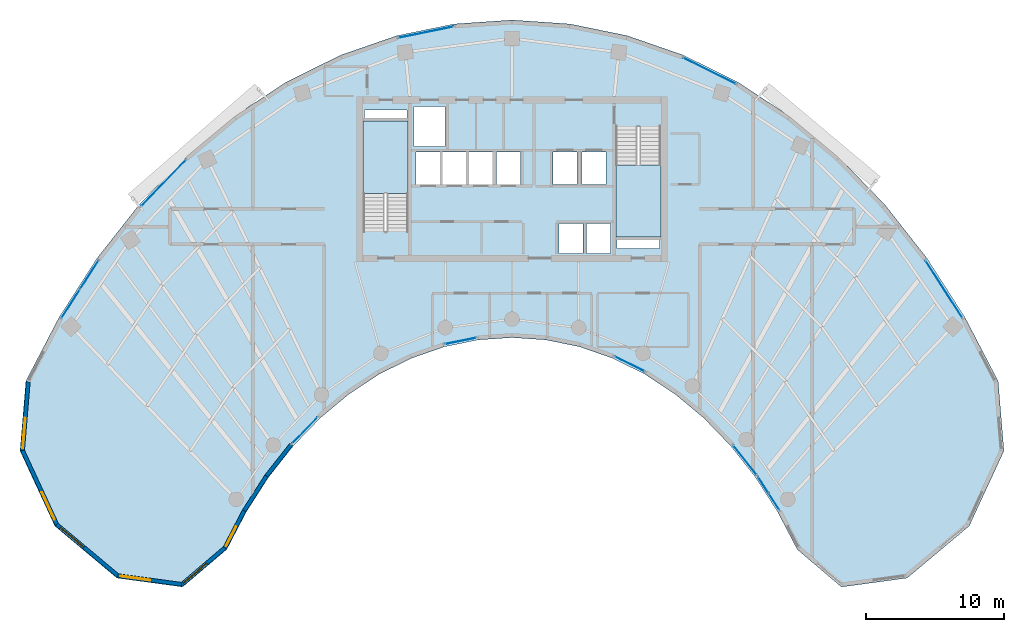
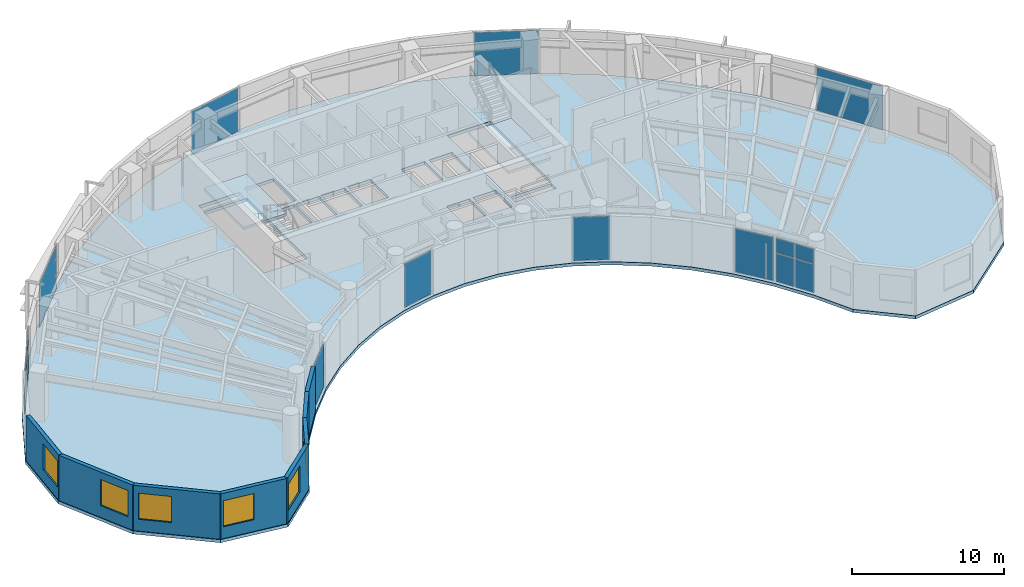
# One storey, part 7 of 14: 16 plates, 8 walls, 6 windows, 3 slabs, 6 openings, 12 elements without a shape of their own.
"""IFC4 building model written with IfcOpenShell, lengths in metres."""

from ifc_helpers import new_model, si_unit, direction, frame, frame_2d, origin, origin_2d, place, context, subcontext, project, spatial, polyline, rectangle, outline, extrude, source, transform, mapped, material, layer, layer_set, type_object, type_shapes, element, fill, aggregate, save


model = new_model("IFC4")

# Units and contexts
model_context = context("Model", 3, precision=1e-05, world=origin(), true_north=direction((0.0, 1.0)))
body_context = subcontext(model_context, "Body", "Model", "MODEL_VIEW")
ifc_project = project(units=[si_unit("LENGTHUNIT", "METRE"), si_unit("AREAUNIT", "SQUARE_METRE"), si_unit("VOLUMEUNIT", "CUBIC_METRE"), si_unit("PLANEANGLEUNIT", "RADIAN"), si_unit("MASSUNIT", "GRAM", prefix="KILO")], contexts=[model_context])

# Site, building, storey
site_placement = place(None, origin())
site = spatial("IfcSite", under=ifc_project, at=site_placement, CompositionType="ELEMENT")
building_placement = place(site_placement, origin())
building = spatial("IfcBuilding", under=site, at=building_placement, Name="Breltana Convention Tower", CompositionType="ELEMENT")
storey_placement = place(building_placement, frame((0.0, 0.0, 177.89990234375)))
storey = spatial("IfcBuildingStorey", under=building, at=storey_placement, Name="L43", CompositionType="ELEMENT", Elevation=177.89990234375)

# Slab
ifc_material_1 = material(Name="Concrete C40/50", Category="concrete")
ifc_layer_1 = layer(ifc_material_1, 0.25, Name="Concrete C40/50")
ifc_layer_set_1 = layer_set([ifc_layer_1], Name="Concrete C40/50")
slab_type_1 = type_object("IfcSlabType", Name="SL-OFF-250", PredefinedType="FLOOR", material=ifc_layer_set_1)
slab_1_placement = place(storey_placement, frame((0.0, 0.0, -0.25)))
element("IfcSlab", 1, at=slab_1_placement, inside=storey, type_object=slab_type_1, Name="L43 Suspended Structural Floor Slab", PredefinedType="FLOOR", context=body_context, shape_type="SweptSolid", body=[
    extrude(outline(polyline([(83.27880859375, 51.539794921875), (80.870361328125, 56.166015625), (78.12548828125, 60.442138671875), (75.072265625, 64.32470703125), (71.74169921875, 67.774169921875), (68.168212890625, 70.7548828125), (64.387939453125, 73.236328125), (60.440185546875, 75.193115234375), (56.36474609375, 76.60546875), (52.203857421875, 77.45849609375), (48.0, 77.743896484375), (43.796142578125, 77.45849609375), (39.63525390625, 76.60546875), (35.559814453125, 75.193115234375), (31.612060546875, 73.236328125), (27.831787109375, 70.7548828125), (24.25830078125, 67.774169921875), (20.927734375, 64.32470703125), (17.87451171875, 60.442138671875), (15.129638671875, 56.166015625), (12.72119140625, 51.539794921875), (12.298095703125, 46.4794921875), (14.822509765625, 41.019287109375), (19.329833984375, 37.2451171875), (24.098876953125, 36.598388671875), (27.3076171875, 39.326171875), (28.72021484375, 42.03955078125), (30.330078125, 44.5478515625), (32.12109375, 46.8251953125), (34.07470703125, 48.848388671875), (36.170654296875, 50.5966796875), (38.3876953125, 52.052001953125), (40.703369140625, 53.19970703125), (43.09375, 54.0283203125), (45.5341796875, 54.528564453125), (48.0, 54.696044921875), (50.4658203125, 54.528564453125), (52.90625, 54.0283203125), (55.296630859375, 53.19970703125), (57.6123046875, 52.052001953125), (59.829345703125, 50.5966796875), (61.92529296875, 48.848388671875), (63.87890625, 46.8251953125), (65.669921875, 44.5478515625), (67.27978515625, 42.03955078125), (68.6923828125, 39.326171875), (71.901123046875, 36.598388671875), (76.670166015625, 37.2451171875), (81.177490234375, 41.019287109375), (83.701904296875, 46.4794921875), (83.27880859375, 51.539794921875)]), holes=[polyline([(37.199951171875, 62.385009765625), (40.469970703125, 62.385009765625), (40.469970703125, 70.39990234375), (37.199951171875, 70.39990234375), (37.199951171875, 62.385009765625)]), polyline([(55.530029296875, 62.0), (58.800048828125, 62.0), (58.800048828125, 70.014892578125), (55.530029296875, 70.014892578125), (55.530029296875, 62.0)]), polyline([(51.39990234375, 60.800048828125), (53.159912109375, 60.800048828125), (53.159912109375, 62.97998046875), (51.39990234375, 62.97998046875), (51.39990234375, 60.800048828125)]), polyline([(53.39990234375, 60.800048828125), (55.159912109375, 60.800048828125), (55.159912109375, 62.97998046875), (53.39990234375, 62.97998046875), (53.39990234375, 60.800048828125)]), polyline([(41.0400390625, 65.820068359375), (42.800048828125, 65.820068359375), (42.800048828125, 68.179931640625), (41.0400390625, 68.179931640625), (41.0400390625, 65.820068359375)]), polyline([(42.93994140625, 65.820068359375), (44.699951171875, 65.820068359375), (44.699951171875, 68.179931640625), (42.93994140625, 68.179931640625), (42.93994140625, 65.820068359375)]), polyline([(44.8701171875, 65.820068359375), (46.6298828125, 65.820068359375), (46.6298828125, 68.179931640625), (44.8701171875, 68.179931640625), (44.8701171875, 65.820068359375)]), polyline([(46.8701171875, 65.820068359375), (48.6298828125, 65.820068359375), (48.6298828125, 68.179931640625), (46.8701171875, 68.179931640625), (46.8701171875, 65.820068359375)]), polyline([(50.969970703125, 65.800048828125), (52.72998046875, 65.800048828125), (52.72998046875, 68.179931640625), (50.969970703125, 68.179931640625), (50.969970703125, 65.800048828125)]), polyline([(53.070068359375, 65.800048828125), (54.830078125, 65.800048828125), (54.830078125, 68.179931640625), (53.070068359375, 68.179931640625), (53.070068359375, 65.800048828125)]), polyline([(40.8798828125, 68.550048828125), (43.1201171875, 68.550048828125), (43.1201171875, 71.449951171875), (40.8798828125, 71.449951171875), (40.8798828125, 68.550048828125)]), polyline([(37.300048828125, 70.60009765625), (40.3798828125, 70.60009765625), (40.3798828125, 71.219970703125), (37.300048828125, 71.219970703125), (37.300048828125, 70.60009765625)]), polyline([(55.6201171875, 61.179931640625), (58.699951171875, 61.179931640625), (58.699951171875, 61.800048828125), (55.6201171875, 61.800048828125), (55.6201171875, 61.179931640625)])]), origin(), (0.0, 0.0, 1.0), 0.25),
])

# Stair, slab
stair_type = type_object("IfcStairType", Name="ST-DOG-1560-R177", PredefinedType="HALF_TURN_STAIR", material=ifc_material_1)
stair_1_placement = place(storey_placement, origin())
stair_1 = element("IfcStair", 2, at=stair_1_placement, inside=storey, type_object=stair_type, Name="L43 Protected Core Exit Stair ST-1", PredefinedType="HALF_TURN_STAIR")
ifc_layer_2 = layer(ifc_material_1, 0.199951171875, Name="Concrete C40/50")
ifc_layer_set_2 = layer_set([ifc_layer_2], Name="Concrete C40/50")
slab_type_2 = type_object("IfcSlabType", Name="SL-STAIR-LANDING-200", PredefinedType="LANDING", material=ifc_layer_set_2)
slab_2_placement = place(storey_placement, frame((0.0, 0.0, 1.75)))
slab_2 = element("IfcSlab", 3, at=slab_2_placement, type_object=slab_type_2, Name="ST-1 landing 1", PredefinedType="LANDING", context=body_context, shape_type="SweptSolid", body=[
    extrude(outline(polyline([(40.469970703125, 65.159912109375), (40.469970703125, 70.39990234375), (37.199951171875, 70.39990234375), (37.199951171875, 65.159912109375), (40.469970703125, 65.159912109375)])), origin(), (0.0, 0.0, 1.0), 0.2001953125),
])
aggregate(stair_1, [slab_2])

stair_2_placement = place(storey_placement, origin())
stair_2 = element("IfcStair", 4, at=stair_2_placement, inside=storey, type_object=stair_type, Name="L43 Protected Core Exit Stair ST-2", PredefinedType="HALF_TURN_STAIR")
slab_3_placement = place(storey_placement, frame((0.0, 0.0, 1.75)))
slab_3 = element("IfcSlab", 5, at=slab_3_placement, type_object=slab_type_2, Name="ST-2 landing 1", PredefinedType="LANDING", context=body_context, shape_type="SweptSolid", body=[
    extrude(outline(polyline([(55.530029296875, 67.239990234375), (55.530029296875, 62.0), (58.800048828125, 62.0), (58.800048828125, 67.239990234375), (55.530029296875, 67.239990234375)])), origin(), (0.0, 0.0, 1.0), 0.2001953125),
])
aggregate(stair_2, [slab_3])

# Curtain wall, plates
ifc_material_2 = material(Name="Aluminium Anodised Bronze Frame", Category="aluminium")
ifc_layer_3 = layer(ifc_material_2, 0.18994140625, Name="Aluminium Anodised Bronze Frame")
ifc_layer_set_3 = layer_set([ifc_layer_3], Name="Aluminium Anodised Bronze Frame")
curtain_wall_type_1 = type_object("IfcCurtainWallType", Name="CW-SYS-1", PredefinedType="NOTDEFINED", material=ifc_layer_set_3)
curtain_wall_1_placement = place(storey_placement, origin())
curtain_wall_1 = element("IfcCurtainWall", 6, at=curtain_wall_1_placement, inside=storey, type_object=curtain_wall_type_1, Name="L43 inner south-court glazing 1", PredefinedType="NOTDEFINED")
ifc_material_3 = material(Name="Glass Low-E Double Glazing", Category="glass")
ifc_layer_4 = layer(ifc_material_3, 0.028076171875, Name="Glass Low-E Double Glazing")
ifc_layer_set_4 = layer_set([ifc_layer_4], Name="Glass Low-E Double Glazing")
plate_type = type_object("IfcPlateType", Name="CWP-IGU-28", PredefinedType="CURTAIN_PANEL", material=ifc_layer_set_4)
shared_shape_1 = source(origin(), body_context, "Body", "SweptSolid", [
    extrude(rectangle(XDim=1.3701171875, YDim=0.028076171875, at=origin_2d()), origin(), (0.0, 0.0, 1.0), 2.25244140625),
])
plate_1_placement = place(storey_placement, frame((67.01806640625, 42.78076171875, 0.080078125), z_axis=(0.0, 0.0, 1.0), x_axis=(-0.540184298954, 0.841546744491, 0.0)))
plate_1 = element("IfcPlate", 7, at=plate_1_placement, type_object=plate_type, Name="CW-01 panel 1.1", PredefinedType="CURTAIN_PANEL", context=body_context, shape_type="MappedRepresentation", body=[
    mapped(shared_shape_1, transform((0.0, 0.0, 0.0), scale=1.0)),
])
plate_2_placement = place(storey_placement, frame((66.234619140625, 44.001220703125, 0.080078125), z_axis=(0.0, 0.0, 1.0), x_axis=(-0.540184298954, 0.841546744491, 0.0)))
plate_2 = element("IfcPlate", 8, at=plate_2_placement, type_object=plate_type, Name="CW-01 panel 2.1", PredefinedType="CURTAIN_PANEL", context=body_context, shape_type="MappedRepresentation", body=[
    mapped(shared_shape_1, transform((0.0, 0.0, 0.0), scale=1.0)),
])
shared_shape_2 = source(origin(), body_context, "Body", "SweptSolid", [
    extrude(rectangle(XDim=1.3701171875, YDim=0.028076171875, at=origin_2d()), origin(), (0.0, 0.0, 1.0), 1.157470703125),
])
plate_3_placement = place(storey_placement, frame((67.01806640625, 42.78076171875, 2.41259765625), z_axis=(0.0, 0.0, 1.0), x_axis=(-0.540184298954, 0.841546744491, 0.0)))
plate_3 = element("IfcPlate", 9, at=plate_3_placement, type_object=plate_type, Name="CW-01 panel 1.2", PredefinedType="CURTAIN_PANEL", context=body_context, shape_type="MappedRepresentation", body=[
    mapped(shared_shape_2, transform((0.0, 0.0, 0.0), scale=1.0)),
])
plate_4_placement = place(storey_placement, frame((66.234619140625, 44.001220703125, 2.41259765625), z_axis=(0.0, 0.0, 1.0), x_axis=(-0.540184298954, 0.841546744491, 0.0)))
plate_4 = element("IfcPlate", 10, at=plate_4_placement, type_object=plate_type, Name="CW-01 panel 2.2", PredefinedType="CURTAIN_PANEL", context=body_context, shape_type="MappedRepresentation", body=[
    mapped(shared_shape_2, transform((0.0, 0.0, 0.0), scale=1.0)),
])
aggregate(curtain_wall_1, [plate_1, plate_3, plate_2, plate_4])

# Curtain wall, plate
curtain_wall_2_placement = place(storey_placement, origin())
curtain_wall_2 = element("IfcCurtainWall", 11, at=curtain_wall_2_placement, inside=storey, type_object=curtain_wall_type_1, Name="L43 inner south-court glazing 2", PredefinedType="NOTDEFINED")
shared_shape_3 = source(origin(), body_context, "Body", "SweptSolid", [
    extrude(rectangle(XDim=2.737060546875, YDim=0.028076171875, at=origin_2d()), origin(), (0.0, 0.0, 1.0), 3.489990234375),
])
plate_5_placement = place(storey_placement, frame((64.915771484375, 45.7978515625, 0.080078125), z_axis=(0.0, 0.0, 1.0), x_axis=(-0.618161435717, 0.786051168431, 0.0)))
plate_5 = element("IfcPlate", 12, at=plate_5_placement, type_object=plate_type, Name="CW-01 panel 1.1", PredefinedType="CURTAIN_PANEL", context=body_context, shape_type="MappedRepresentation", body=[
    mapped(shared_shape_3, transform((0.0, 0.0, 0.0), scale=1.0)),
])
aggregate(curtain_wall_2, [plate_5])

# Curtain wall, plates
ifc_layer_5 = layer(ifc_material_2, 0.2099609375, Name="Aluminium Anodised Bronze Frame")
ifc_layer_set_5 = layer_set([ifc_layer_5], Name="Aluminium Anodised Bronze Frame")
curtain_wall_type_2 = type_object("IfcCurtainWallType", Name="CW-SYS-3", PredefinedType="NOTDEFINED", material=ifc_layer_set_5)
curtain_wall_3_placement = place(storey_placement, origin())
curtain_wall_3 = element("IfcCurtainWall", 13, at=curtain_wall_3_placement, inside=storey, type_object=curtain_wall_type_2, Name="L43 outer double-skin inner glazing 1", PredefinedType="NOTDEFINED")
shared_shape_4 = source(origin(), body_context, "Body", "SweptSolid", [
    extrude(rectangle(XDim=2.42724609375, YDim=0.028076171875, at=origin_2d()), origin(), (0.0, 0.0, 1.0), 2.25244140625),
])
plate_6_placement = place(storey_placement, frame((15.97900390625, 57.15576171875, 0.080078125), z_axis=(0.0, 0.0, 1.0), x_axis=(0.54017267843, 0.841554203529, 0.0)))
plate_6 = element("IfcPlate", 14, at=plate_6_placement, type_object=plate_type, Name="CW-03 panel 1.1", PredefinedType="CURTAIN_PANEL", context=body_context, shape_type="MappedRepresentation", body=[
    mapped(shared_shape_4, transform((0.0, 0.0, 0.0), scale=1.0)),
])
plate_7_placement = place(storey_placement, frame((17.327880859375, 59.25732421875, 0.080078125), z_axis=(0.0, 0.0, 1.0), x_axis=(0.54017267843, 0.841554203529, 0.0)))
plate_7 = element("IfcPlate", 15, at=plate_7_placement, type_object=plate_type, Name="CW-03 panel 2.1", PredefinedType="CURTAIN_PANEL", context=body_context, shape_type="MappedRepresentation", body=[
    mapped(shared_shape_4, transform((0.0, 0.0, 0.0), scale=1.0)),
])
shared_shape_5 = source(origin(), body_context, "Body", "SweptSolid", [
    extrude(rectangle(XDim=2.42724609375, YDim=0.028076171875, at=origin_2d()), origin(), (0.0, 0.0, 1.0), 1.157470703125),
])
plate_8_placement = place(storey_placement, frame((15.97900390625, 57.15576171875, 2.41259765625), z_axis=(0.0, 0.0, 1.0), x_axis=(0.54017267843, 0.841554203529, 0.0)))
plate_8 = element("IfcPlate", 16, at=plate_8_placement, type_object=plate_type, Name="CW-03 panel 1.2", PredefinedType="CURTAIN_PANEL", context=body_context, shape_type="MappedRepresentation", body=[
    mapped(shared_shape_5, transform((0.0, 0.0, 0.0), scale=1.0)),
])
plate_9_placement = place(storey_placement, frame((17.327880859375, 59.25732421875, 2.41259765625), z_axis=(0.0, 0.0, 1.0), x_axis=(0.54017267843, 0.841554203529, 0.0)))
plate_9 = element("IfcPlate", 17, at=plate_9_placement, type_object=plate_type, Name="CW-03 panel 2.2", PredefinedType="CURTAIN_PANEL", context=body_context, shape_type="MappedRepresentation", body=[
    mapped(shared_shape_5, transform((0.0, 0.0, 0.0), scale=1.0)),
])
aggregate(curtain_wall_3, [plate_6, plate_8, plate_7, plate_9])

# Curtain wall, plate
curtain_wall_4_placement = place(storey_placement, origin())
curtain_wall_4 = element("IfcCurtainWall", 18, at=curtain_wall_4_placement, inside=storey, type_object=curtain_wall_type_2, Name="L43 outer double-skin inner glazing 4", PredefinedType="NOTDEFINED")
shared_shape_6 = source(origin(), body_context, "Body", "SweptSolid", [
    extrude(rectangle(XDim=4.243896484375, YDim=0.028076171875, at=origin_2d()), origin(), (0.0, 0.0, 1.0), 3.489990234375),
])
plate_10_placement = place(storey_placement, frame((62.334228515625, 74.053466796875, 0.080078125), z_axis=(0.0, 0.0, 1.0), x_axis=(0.895968385619, -0.444117835682, 0.0)))
plate_10 = element("IfcPlate", 19, at=plate_10_placement, type_object=plate_type, Name="CW-03 panel 1.1", PredefinedType="CURTAIN_PANEL", context=body_context, shape_type="MappedRepresentation", body=[
    mapped(shared_shape_6, transform((0.0, 0.0, 0.0), scale=1.0)),
])
aggregate(curtain_wall_4, [plate_10])

curtain_wall_5_placement = place(storey_placement, origin())
curtain_wall_5 = element("IfcCurtainWall", 20, at=curtain_wall_5_placement, inside=storey, type_object=curtain_wall_type_2, Name="L43 outer double-skin inner glazing 3", PredefinedType="NOTDEFINED")
shared_shape_7 = source(origin(), body_context, "Body", "SweptSolid", [
    extrude(rectangle(XDim=4.08349609375, YDim=0.028076171875, at=origin_2d()), origin(), (0.0, 0.0, 1.0), 3.489990234375),
])
plate_11_placement = place(storey_placement, frame((41.751708984375, 76.855712890625, 0.080078125), z_axis=(0.0, 0.0, 1.0), x_axis=(0.979616560993, 0.200876562668, 0.0)))
plate_11 = element("IfcPlate", 21, at=plate_11_placement, type_object=plate_type, Name="CW-03 panel 1.1", PredefinedType="CURTAIN_PANEL", context=body_context, shape_type="MappedRepresentation", body=[
    mapped(shared_shape_7, transform((0.0, 0.0, 0.0), scale=1.0)),
])
aggregate(curtain_wall_5, [plate_11])

curtain_wall_6_placement = place(storey_placement, origin())
curtain_wall_6 = element("IfcCurtainWall", 22, at=curtain_wall_6_placement, inside=storey, type_object=curtain_wall_type_2, Name="L43 outer double-skin inner glazing 2", PredefinedType="NOTDEFINED")
shared_shape_8 = source(origin(), body_context, "Body", "SweptSolid", [
    extrude(rectangle(XDim=4.635986328125, YDim=0.028076171875, at=origin_2d()), origin(), (0.0, 0.0, 1.0), 3.489990234375),
])
plate_12_placement = place(storey_placement, frame((22.722412109375, 65.92431640625, 0.080078125), z_axis=(0.0, 0.0, 1.0), x_axis=(0.694602734297, 0.719393523398, 0.0)))
plate_12 = element("IfcPlate", 23, at=plate_12_placement, type_object=plate_type, Name="CW-03 panel 1.1", PredefinedType="CURTAIN_PANEL", context=body_context, shape_type="MappedRepresentation", body=[
    mapped(shared_shape_8, transform((0.0, 0.0, 0.0), scale=1.0)),
])
aggregate(curtain_wall_6, [plate_12])

curtain_wall_7_placement = place(storey_placement, origin())
curtain_wall_7 = element("IfcCurtainWall", 24, at=curtain_wall_7_placement, inside=storey, type_object=curtain_wall_type_1, Name="L43 inner south-court glazing 3", PredefinedType="NOTDEFINED")
shared_shape_9 = source(origin(), body_context, "Body", "SweptSolid", [
    extrude(rectangle(XDim=2.424560546875, YDim=0.028076171875, at=origin_2d()), origin(), (0.0, 0.0, 1.0), 3.489990234375),
])
plate_13_placement = place(storey_placement, frame((56.5341796875, 52.787109375, 0.080078125), z_axis=(0.0, 0.0, 1.0), x_axis=(-0.895969545082, 0.444115496562, 0.0)))
plate_13 = element("IfcPlate", 25, at=plate_13_placement, type_object=plate_type, Name="CW-01 panel 1.1", PredefinedType="CURTAIN_PANEL", context=body_context, shape_type="MappedRepresentation", body=[
    mapped(shared_shape_9, transform((0.0, 0.0, 0.0), scale=1.0)),
])
aggregate(curtain_wall_7, [plate_13])

curtain_wall_8_placement = place(storey_placement, origin())
curtain_wall_8 = element("IfcCurtainWall", 26, at=curtain_wall_8_placement, inside=storey, type_object=curtain_wall_type_1, Name="L43 inner south-court glazing 4", PredefinedType="NOTDEFINED")
shared_shape_10 = source(origin(), body_context, "Body", "SweptSolid", [
    extrude(rectangle(XDim=2.331298828125, YDim=0.028076171875, at=origin_2d()), origin(), (0.0, 0.0, 1.0), 3.489990234375),
])
plate_14_placement = place(storey_placement, frame((44.27783203125, 54.45458984375, 0.080078125), z_axis=(0.0, 0.0, 1.0), x_axis=(-0.979619715529, -0.200861178299, 0.0)))
plate_14 = element("IfcPlate", 27, at=plate_14_placement, type_object=plate_type, Name="CW-01 panel 1.1", PredefinedType="CURTAIN_PANEL", context=body_context, shape_type="MappedRepresentation", body=[
    mapped(shared_shape_10, transform((0.0, 0.0, 0.0), scale=1.0)),
])
aggregate(curtain_wall_8, [plate_14])

curtain_wall_9_placement = place(storey_placement, origin())
curtain_wall_9 = element("IfcCurtainWall", 28, at=curtain_wall_9_placement, inside=storey, type_object=curtain_wall_type_1, Name="L43 inner south-court glazing 5", PredefinedType="NOTDEFINED")
shared_shape_11 = source(origin(), body_context, "Body", "SweptSolid", [
    extrude(rectangle(XDim=2.65234375, YDim=0.028076171875, at=origin_2d()), origin(), (0.0, 0.0, 1.0), 3.489990234375),
])
plate_15_placement = place(storey_placement, frame((32.96826171875, 47.961669921875, 0.080078125), z_axis=(0.0, 0.0, 1.0), x_axis=(-0.694606570168, -0.719389819694, 0.0)))
plate_15 = element("IfcPlate", 29, at=plate_15_placement, type_object=plate_type, Name="CW-01 panel 1.1", PredefinedType="CURTAIN_PANEL", context=body_context, shape_type="MappedRepresentation", body=[
    mapped(shared_shape_11, transform((0.0, 0.0, 0.0), scale=1.0)),
])
aggregate(curtain_wall_9, [plate_15])

curtain_wall_10_placement = place(storey_placement, origin())
curtain_wall_10 = element("IfcCurtainWall", 30, at=curtain_wall_10_placement, inside=storey, type_object=curtain_wall_type_2, Name="L43 outer double-skin inner glazing 5", PredefinedType="NOTDEFINED")
shared_shape_12 = source(origin(), body_context, "Body", "SweptSolid", [
    extrude(rectangle(XDim=4.924560546875, YDim=0.028076171875, at=origin_2d()), origin(), (0.0, 0.0, 1.0), 3.489990234375),
])
plate_16_placement = place(storey_placement, frame((79.3466796875, 58.20654296875, 0.080078125), z_axis=(0.0, 0.0, 1.0), x_axis=(0.54017267843, -0.841554203529, 0.0)))
plate_16 = element("IfcPlate", 31, at=plate_16_placement, type_object=plate_type, Name="CW-03 panel 1.1", PredefinedType="CURTAIN_PANEL", context=body_context, shape_type="MappedRepresentation", body=[
    mapped(shared_shape_12, transform((0.0, 0.0, 0.0), scale=1.0)),
])
aggregate(curtain_wall_10, [plate_16])

# Wall, opening, window
ifc_material_4 = material(Name="Limestone Buff Insulated Wall", Category="masonry")
ifc_layer_6 = layer(ifc_material_4, 0.280029296875, Name="Limestone Buff Insulated Wall")
ifc_layer_set_6 = layer_set([ifc_layer_6], Name="Limestone Buff Insulated Wall")
wall_type = type_object("IfcWallType", Name="WL-EXT-NOSE-280", PredefinedType="SOLIDWALL", material=ifc_layer_set_6)
shared_shape_13 = source(origin(), body_context, "Body", "SweptSolid", [
    extrude(rectangle(XDim=4.994384765625, YDim=0.280029296875, at=frame_2d((2.4970703125, 0.0))), origin(), (0.0, 0.0, 1.0), 3.650146484375),
])
wall_1_placement = place(storey_placement, frame((12.4814453125, 46.51171875, 0.0), z_axis=(0.0, 0.0, 1.0), x_axis=(0.083344839916, 0.996520766296, 0.0)))
wall_1 = element("IfcWall", 32, at=wall_1_placement, inside=storey, type_object=wall_type, Name="L43 curved limestone nose wall W6", PredefinedType="SOLIDWALL", context=body_context, shape_type="MappedRepresentation", body=[
    mapped(shared_shape_13, transform((0.0, 0.0, 0.0), scale=1.0)),
])
opening_1_placement = place(wall_1_placement, frame((0.159912109375, 0.0, 0.949951171875)))
opening_1 = element("IfcOpeningElement", 33, at=opening_1_placement, cuts=wall_1, Name="Opening W-03", PredefinedType="OPENING", context=body_context, shape_type="SweptSolid", body=[
    extrude(rectangle(XDim=2.199951171875, YDim=2.10009765625, at=frame_2d((1.10009765625, 1.050048828125))), frame((0.0, 0.14990234375, 0.0), z_axis=(0.0, -1.0, 0.0), x_axis=(1.0, 0.0, 0.0)), (0.0, 0.0, 1.0), 0.300048828125),
])
ifc_material_5 = material(Name="Glass Low-E Insulated Window", Category="glass")
window_type_1 = type_object("IfcWindowType", Name="WN-NOSE-2200X2100", PartitioningType="TRIPLE_PANEL_VERTICAL", PredefinedType="WINDOW", material=ifc_material_5)
shared_shape_14 = source(origin(), body_context, "Body", "SweptSolid", [
    extrude(rectangle(XDim=2.199951171875, YDim=2.10009765625, at=frame_2d((1.10009765625, 1.050048828125))), frame((0.0, 0.030029296875, 0.0), z_axis=(0.0, -1.0, 0.0), x_axis=(1.0, 0.0, 0.0)), (0.0, 0.0, 1.0), 0.06005859375),
])
type_shapes(window_type_1, [shared_shape_14])
window_1_placement = place(opening_1_placement, origin())
window_1 = element("IfcWindow", 34, at=window_1_placement, inside=storey, type_object=window_type_1, Name="L43 nose window W6", OverallHeight=2.10009765625, OverallWidth=2.199951171875, PartitioningType="TRIPLE_PANEL_VERTICAL", PredefinedType="WINDOW", context=body_context, shape_type="MappedRepresentation", body=[
    mapped(shared_shape_14, transform((0.0, 0.0, 0.0), scale=1.0)),
])
fill(opening_1, window_1)

shared_shape_15 = source(origin(), body_context, "Body", "SweptSolid", [
    extrude(rectangle(XDim=5.927490234375, YDim=0.280029296875, at=frame_2d((2.9638671875, 0.0))), origin(), (0.0, 0.0, 1.0), 3.650146484375),
])
wall_2_placement = place(storey_placement, frame((14.968994140625, 41.13134765625, 0.0), z_axis=(0.0, 0.0, 1.0), x_axis=(-0.419656204795, 0.907683132914, 0.0)))
wall_2 = element("IfcWall", 35, at=wall_2_placement, inside=storey, type_object=wall_type, Name="L43 curved limestone nose wall W5", PredefinedType="SOLIDWALL", context=body_context, shape_type="MappedRepresentation", body=[
    mapped(shared_shape_15, transform((0.0, 0.0, 0.0), scale=1.0)),
])
opening_2_placement = place(wall_2_placement, frame((0.3818359375, 0.0, 0.949951171875)))
opening_2 = element("IfcOpeningElement", 36, at=opening_2_placement, cuts=wall_2, Name="Opening W-03", PredefinedType="OPENING", context=body_context, shape_type="SweptSolid", body=[
    extrude(rectangle(XDim=2.199951171875, YDim=2.10009765625, at=frame_2d((1.10009765625, 1.050048828125))), frame((0.0, 0.14990234375, 0.0), z_axis=(0.0, -1.0, 0.0), x_axis=(1.0, 0.0, 0.0)), (0.0, 0.0, 1.0), 0.300048828125),
])
window_2_placement = place(opening_2_placement, origin())
window_2 = element("IfcWindow", 37, at=window_2_placement, inside=storey, type_object=window_type_1, Name="L43 nose window W5", OverallHeight=2.10009765625, OverallWidth=2.199951171875, PartitioningType="TRIPLE_PANEL_VERTICAL", PredefinedType="WINDOW", context=body_context, shape_type="MappedRepresentation", body=[
    mapped(shared_shape_14, transform((0.0, 0.0, 0.0), scale=1.0)),
])
fill(opening_2, window_2)

shared_shape_16 = source(origin(), body_context, "Body", "SweptSolid", [
    extrude(rectangle(XDim=5.786376953125, YDim=0.280029296875, at=frame_2d((2.89306640625, 0.0))), origin(), (0.0, 0.0, 1.0), 3.650146484375),
])
wall_3_placement = place(storey_placement, frame((19.405517578125, 37.41650390625, 0.0), z_axis=(0.0, 0.0, 1.0), x_axis=(-0.766711306852, 0.641992034176, 0.0)))
wall_3 = element("IfcWall", 38, at=wall_3_placement, inside=storey, type_object=wall_type, Name="L43 curved limestone nose wall W4", PredefinedType="SOLIDWALL", context=body_context, shape_type="MappedRepresentation", body=[
    mapped(shared_shape_16, transform((0.0, 0.0, 0.0), scale=1.0)),
])
opening_3_placement = place(wall_3_placement, frame((3.239990234375, 0.0, 0.949951171875)))
opening_3 = element("IfcOpeningElement", 39, at=opening_3_placement, cuts=wall_3, Name="Opening W-03", PredefinedType="OPENING", context=body_context, shape_type="SweptSolid", body=[
    extrude(rectangle(XDim=2.199951171875, YDim=2.10009765625, at=frame_2d((1.10009765625, 1.050048828125))), frame((0.0, 0.14990234375, 0.0), z_axis=(0.0, -1.0, 0.0), x_axis=(1.0, 0.0, 0.0)), (0.0, 0.0, 1.0), 0.300048828125),
])
window_3_placement = place(opening_3_placement, origin())
window_3 = element("IfcWindow", 40, at=window_3_placement, inside=storey, type_object=window_type_1, Name="L43 nose window W4", OverallHeight=2.10009765625, OverallWidth=2.199951171875, PartitioningType="TRIPLE_PANEL_VERTICAL", PredefinedType="WINDOW", context=body_context, shape_type="MappedRepresentation", body=[
    mapped(shared_shape_14, transform((0.0, 0.0, 0.0), scale=1.0)),
])
fill(opening_3, window_3)

shared_shape_17 = source(origin(), body_context, "Body", "SweptSolid", [
    extrude(rectangle(XDim=4.680419921875, YDim=0.280029296875, at=frame_2d((2.34033203125, 0.0))), origin(), (0.0, 0.0, 1.0), 3.650146484375),
])
wall_4_placement = place(storey_placement, frame((24.04345703125, 36.78759765625, 0.0), z_axis=(0.0, 0.0, 1.0), x_axis=(-0.990931146435, 0.134370618162, 0.0)))
wall_4 = element("IfcWall", 41, at=wall_4_placement, inside=storey, type_object=wall_type, Name="L43 curved limestone nose wall W3", PredefinedType="SOLIDWALL", context=body_context, shape_type="MappedRepresentation", body=[
    mapped(shared_shape_17, transform((0.0, 0.0, 0.0), scale=1.0)),
])
opening_4_placement = place(wall_4_placement, frame((2.3203125, 0.0, 0.949951171875)))
opening_4 = element("IfcOpeningElement", 42, at=opening_4_placement, cuts=wall_4, Name="Opening W-03", PredefinedType="OPENING", context=body_context, shape_type="SweptSolid", body=[
    extrude(rectangle(XDim=2.199951171875, YDim=2.10009765625, at=frame_2d((1.10009765625, 1.050048828125))), frame((0.0, 0.14990234375, 0.0), z_axis=(0.0, -1.0, 0.0), x_axis=(1.0, 0.0, 0.0)), (0.0, 0.0, 1.0), 0.300048828125),
])
window_4_placement = place(opening_4_placement, origin())
window_4 = element("IfcWindow", 43, at=window_4_placement, inside=storey, type_object=window_type_1, Name="L43 nose window W3", OverallHeight=2.10009765625, OverallWidth=2.199951171875, PartitioningType="TRIPLE_PANEL_VERTICAL", PredefinedType="WINDOW", context=body_context, shape_type="MappedRepresentation", body=[
    mapped(shared_shape_14, transform((0.0, 0.0, 0.0), scale=1.0)),
])
fill(opening_4, window_4)

shared_shape_18 = source(origin(), body_context, "Body", "SweptSolid", [
    extrude(rectangle(XDim=4.095947265625, YDim=0.280029296875, at=frame_2d((2.0478515625, 0.0))), origin(), (0.0, 0.0, 1.0), 3.650146484375),
])
wall_5_placement = place(storey_placement, frame((27.164306640625, 39.4404296875, 0.0), z_axis=(0.0, 0.0, 1.0), x_axis=(-0.761926081737, -0.647663991564, 0.0)))
wall_5 = element("IfcWall", 44, at=wall_5_placement, inside=storey, type_object=wall_type, Name="L43 curved limestone nose wall W2", PredefinedType="SOLIDWALL", context=body_context, shape_type="MappedRepresentation", body=[
    mapped(shared_shape_18, transform((0.0, 0.0, 0.0), scale=1.0)),
])
opening_5_placement = place(wall_5_placement, frame((1.736083984375, 0.0, 0.949951171875)))
opening_5 = element("IfcOpeningElement", 45, at=opening_5_placement, cuts=wall_5, Name="Opening W-03", PredefinedType="OPENING", context=body_context, shape_type="SweptSolid", body=[
    extrude(rectangle(XDim=2.199951171875, YDim=2.10009765625, at=frame_2d((1.10009765625, 1.050048828125))), frame((0.0, 0.14990234375, 0.0), z_axis=(0.0, -1.0, 0.0), x_axis=(1.0, 0.0, 0.0)), (0.0, 0.0, 1.0), 0.300048828125),
])
window_5_placement = place(opening_5_placement, origin())
window_5 = element("IfcWindow", 46, at=window_5_placement, inside=storey, type_object=window_type_1, Name="L43 nose window W2", OverallHeight=2.10009765625, OverallWidth=2.199951171875, PartitioningType="TRIPLE_PANEL_VERTICAL", PredefinedType="WINDOW", context=body_context, shape_type="MappedRepresentation", body=[
    mapped(shared_shape_14, transform((0.0, 0.0, 0.0), scale=1.0)),
])
fill(opening_5, window_5)

shared_shape_19 = source(origin(), body_context, "Body", "SweptSolid", [
    extrude(rectangle(XDim=3.02392578125, YDim=0.280029296875, at=frame_2d((1.511962890625, 0.0))), origin(), (0.0, 0.0, 1.0), 3.650146484375),
])
wall_6_placement = place(storey_placement, frame((28.560546875, 42.122802734375, 0.0), z_axis=(0.0, 0.0, 1.0), x_axis=(-0.461718746531, -0.887026380161, 0.0)))
wall_6 = element("IfcWall", 47, at=wall_6_placement, inside=storey, type_object=wall_type, Name="L43 curved limestone nose wall W1", PredefinedType="SOLIDWALL", context=body_context, shape_type="MappedRepresentation", body=[
    mapped(shared_shape_19, transform((0.0, 0.0, 0.0), scale=1.0)),
])
opening_6_placement = place(wall_6_placement, frame((1.263916015625, 0.0, 0.949951171875)))
opening_6 = element("IfcOpeningElement", 48, at=opening_6_placement, cuts=wall_6, Name="Opening W-04", PredefinedType="OPENING", context=body_context, shape_type="SweptSolid", body=[
    extrude(rectangle(XDim=1.60009765625, YDim=1.89990234375, at=frame_2d((0.800048828125, 0.949951171875))), frame((0.0, 0.14990234375, 0.0), z_axis=(0.0, -1.0, 0.0), x_axis=(1.0, 0.0, 0.0)), (0.0, 0.0, 1.0), 0.300048828125),
])
window_type_2 = type_object("IfcWindowType", Name="WN-NOSE-1600X1900", PartitioningType="SINGLE_PANEL", PredefinedType="WINDOW", material=ifc_material_5)
shared_shape_20 = source(origin(), body_context, "Body", "SweptSolid", [
    extrude(rectangle(XDim=1.60009765625, YDim=1.89990234375, at=frame_2d((0.800048828125, 0.949951171875))), frame((0.0, 0.030029296875, 0.0), z_axis=(0.0, -1.0, 0.0), x_axis=(1.0, 0.0, 0.0)), (0.0, 0.0, 1.0), 0.06005859375),
])
type_shapes(window_type_2, [shared_shape_20])
window_6_placement = place(opening_6_placement, origin())
window_6 = element("IfcWindow", 49, at=window_6_placement, inside=storey, type_object=window_type_2, Name="L43 nose window W1", OverallHeight=1.89990234375, OverallWidth=1.60009765625, PartitioningType="SINGLE_PANEL", PredefinedType="WINDOW", context=body_context, shape_type="MappedRepresentation", body=[
    mapped(shared_shape_20, transform((0.0, 0.0, 0.0), scale=1.0)),
])
fill(opening_6, window_6)

# Walls
shared_shape_21 = source(origin(), body_context, "Body", "SweptSolid", [
    extrude(rectangle(XDim=2.89697265625, YDim=0.280029296875, at=frame_2d((1.448486328125, 0.0))), origin(), (0.0, 0.0, 1.0), 3.650146484375),
])
wall_7_placement = place(storey_placement, frame((31.9794921875, 46.936279296875, 0.0), z_axis=(0.0, 0.0, 1.0), x_axis=(-0.618167636915, -0.786046291685, 0.0)))
element("IfcWall", 50, at=wall_7_placement, inside=storey, type_object=wall_type, Name="L43 curved limestone nose wall E18", PredefinedType="SOLIDWALL", context=body_context, shape_type="MappedRepresentation", body=[
    mapped(shared_shape_21, transform((0.0, 0.0, 0.0), scale=1.0)),
])
shared_shape_22 = source(origin(), body_context, "Body", "SweptSolid", [
    extrude(rectangle(XDim=2.980712890625, YDim=0.280029296875, at=frame_2d((1.490234375, 0.0))), origin(), (0.0, 0.0, 1.0), 3.650146484375),
])
wall_8_placement = place(storey_placement, frame((30.1787109375, 44.64501953125, 0.0), z_axis=(0.0, 0.0, 1.0), x_axis=(-0.540194451908, -0.841540227278, 0.0)))
element("IfcWall", 51, at=wall_8_placement, inside=storey, type_object=wall_type, Name="L43 curved limestone nose wall E19", PredefinedType="SOLIDWALL", context=body_context, shape_type="MappedRepresentation", body=[
    mapped(shared_shape_22, transform((0.0, 0.0, 0.0), scale=1.0)),
])

save(model, "model.ifc")
